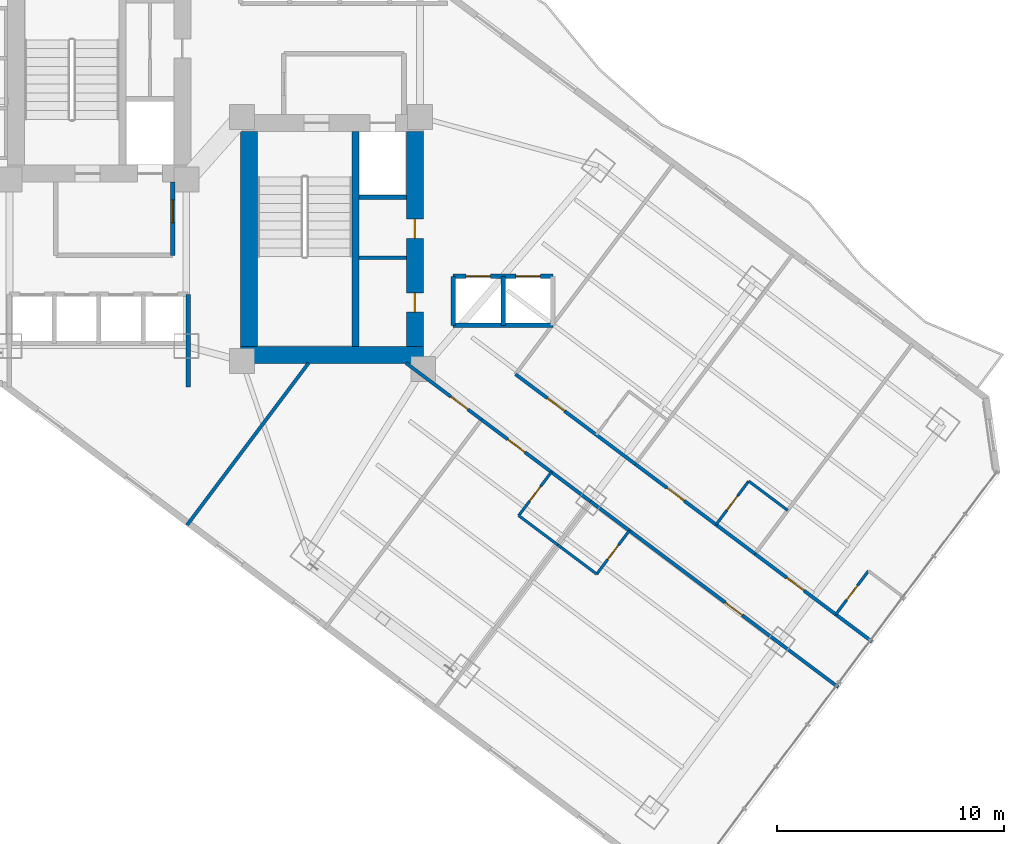
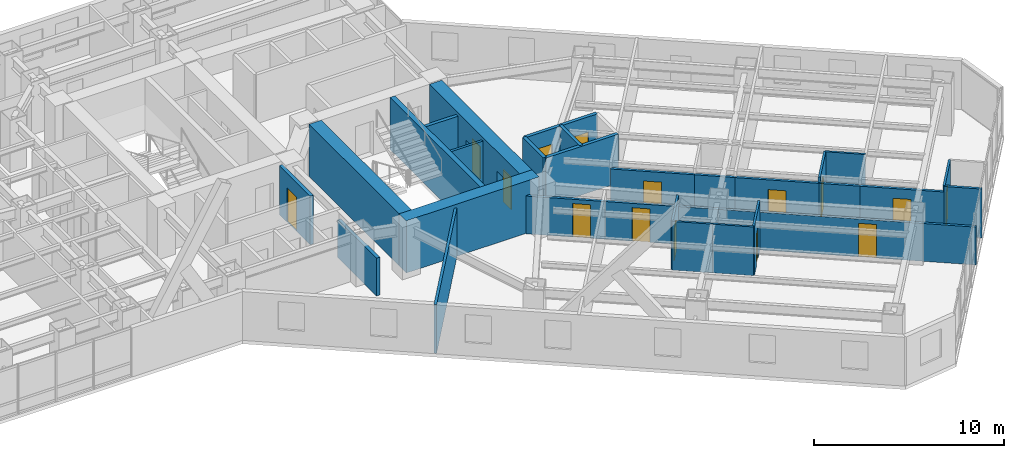
# One storey, part 24 of 33: 31 walls, 15 doors, 15 openings.
"""IFC4 building model written with IfcOpenShell, lengths in metres."""

from ifc_helpers import new_model, si_unit, direction, frame, frame_2d, origin, place, context, subcontext, project, spatial, rectangle, extrude, material, layer, layer_set, type_object, element, fill, save


model = new_model("IFC4")

# Units and contexts
model_context = context("Model", 3, precision=1e-05, world=origin(), true_north=direction((0.0, 1.0)))
body_context = subcontext(model_context, "Body", "Model", "MODEL_VIEW")
ifc_project = project(units=[si_unit("LENGTHUNIT", "METRE"), si_unit("AREAUNIT", "SQUARE_METRE"), si_unit("VOLUMEUNIT", "CUBIC_METRE"), si_unit("PLANEANGLEUNIT", "RADIAN"), si_unit("MASSUNIT", "GRAM", prefix="KILO")], contexts=[model_context])

# Site, building, storey
site_placement = place(None, origin())
site = spatial("IfcSite", under=ifc_project, at=site_placement, CompositionType="ELEMENT")
building_placement = place(site_placement, origin())
building = spatial("IfcBuilding", under=site, at=building_placement, Name="Hatsunagi Terrace Concourse", CompositionType="ELEMENT")
storey_placement = place(building_placement, frame((0.0, 0.0, 53.35009765625)))
storey = spatial("IfcBuildingStorey", under=building, at=storey_placement, Name="L13", CompositionType="ELEMENT", Elevation=53.35009765625)

# Walls
ifc_material_1 = material(Name="Concrete Fc60", Category="concrete")
ifc_layer_1 = layer(ifc_material_1, 0.75)
ifc_layer_set_1 = layer_set([ifc_layer_1], Name="CoreShearWall_Fc60_750")
wall_type_1 = type_object("IfcWallType", Name="CoreShearWall_Fc60_750", PredefinedType="SHEAR", material=ifc_layer_set_1)
wall_1_placement = place(storey_placement, frame((35.739990234375, 24.81494140625, 0.0), z_axis=(0.0, 0.0, 1.0), x_axis=(1.0, 0.0, 0.0)))
element("IfcWall", 1, at=wall_1_placement, inside=storey, type_object=wall_type_1, Name="Core B Shear Wall S L13", PredefinedType="SHEAR", context=body_context, shape_type="SweptSolid", body=[
    extrude(rectangle(XDim=8.06005859375, YDim=0.75, at=frame_2d((4.030029296875, 0.0))), origin(), (0.0, 0.0, 1.0), 3.349853515625),
])
wall_2_placement = place(storey_placement, frame((36.114990234375, 25.18994140625, 0.0), z_axis=(0.0, 0.0, 1.0), x_axis=(0.0, 1.0, 0.0)))
element("IfcWall", 2, at=wall_2_placement, inside=storey, type_object=wall_type_1, Name="Core B Shear Wall W L13", PredefinedType="SHEAR", context=body_context, shape_type="SweptSolid", body=[
    extrude(rectangle(XDim=9.47998046875, YDim=0.75, at=frame_2d((4.739990234375, 0.0))), origin(), (0.0, 0.0, 1.0), 3.349853515625),
])

# Wall, openings, doors
wall_3_placement = place(storey_placement, frame((43.425048828125, 25.18994140625, 0.0), z_axis=(0.0, 0.0, 1.0), x_axis=(0.0, 1.0, 0.0)))
wall_3 = element("IfcWall", 3, at=wall_3_placement, inside=storey, type_object=wall_type_1, Name="Core B Shear Wall E L13", PredefinedType="SHEAR", context=body_context, shape_type="SweptSolid", body=[
    extrude(rectangle(XDim=9.47998046875, YDim=0.75, at=frame_2d((4.739990234375, 0.0))), origin(), (0.0, 0.0, 1.0), 3.349853515625),
])
opening_1_placement = place(wall_3_placement, frame((1.510009765625, 0.0, 0.0)))
opening_1 = element("IfcOpeningElement", 4, at=opening_1_placement, cuts=wall_3, Name="Opening DR-085", PredefinedType="OPENING", context=body_context, shape_type="SweptSolid", body=[
    extrude(rectangle(XDim=0.85009765625, YDim=2.080078125, at=frame_2d((0.425048828125, 1.0400390625))), frame((0.0, 0.385009765625, 0.0), z_axis=(0.0, -1.0, 0.0), x_axis=(1.0, 0.0, 0.0)), (0.0, 0.0, 1.0), 0.77001953125),
])
opening_2_placement = place(wall_3_placement, frame((4.760009765625, 0.0, 0.0)))
opening_2 = element("IfcOpeningElement", 5, at=opening_2_placement, cuts=wall_3, Name="Opening DR-085", PredefinedType="OPENING", context=body_context, shape_type="SweptSolid", body=[
    extrude(rectangle(XDim=0.85009765625, YDim=2.080078125, at=frame_2d((0.425048828125, 1.0400390625))), frame((0.0, 0.385009765625, 0.0), z_axis=(0.0, -1.0, 0.0), x_axis=(1.0, 0.0, 0.0)), (0.0, 0.0, 1.0), 0.77001953125),
])
ifc_material_2 = material(Name="Painted steel", Category="steel")
door_type_1 = type_object("IfcDoorType", Name="RiserAccessDoor_EI60_850", OperationType="NOTDEFINED", PredefinedType="DOOR", material=ifc_material_2)
door_1_placement = place(opening_1_placement, origin())
door_1 = element("IfcDoor", 6, at=door_1_placement, inside=storey, type_object=door_type_1, Name="Core B Riser Door L13-1", OperationType="SINGLE_SWING_RIGHT", OverallHeight=2.080078125, OverallWidth=0.85009765625, PredefinedType="DOOR", context=body_context, shape_type="SweptSolid", body=[
    extrude(rectangle(XDim=0.85009765625, YDim=2.080078125, at=frame_2d((0.425048828125, 1.0400390625))), frame((0.0, 0.02490234375, 0.0), z_axis=(0.0, -1.0, 0.0), x_axis=(1.0, 0.0, 0.0)), (0.0, 0.0, 1.0), 0.050048828125),
])
fill(opening_1, door_1)
door_2_placement = place(opening_2_placement, origin())
door_2 = element("IfcDoor", 7, at=door_2_placement, inside=storey, type_object=door_type_1, Name="Core B Riser Door L13-2", OperationType="SINGLE_SWING_RIGHT", OverallHeight=2.080078125, OverallWidth=0.85009765625, PredefinedType="DOOR", context=body_context, shape_type="SweptSolid", body=[
    extrude(rectangle(XDim=0.85009765625, YDim=2.080078125, at=frame_2d((0.425048828125, 1.0400390625))), frame((0.0, 0.02490234375, 0.0), z_axis=(0.0, -1.0, 0.0), x_axis=(1.0, 0.0, 0.0)), (0.0, 0.0, 1.0), 0.050048828125),
])
fill(opening_2, door_2)

# Wall
ifc_material_3 = material(Name="Concrete Fc48", Category="concrete")
ifc_layer_2 = layer(ifc_material_3, 0.300048828125)
ifc_layer_set_2 = layer_set([ifc_layer_2], Name="CoreStairDivider_Fc48_300")
wall_type_2 = type_object("IfcWallType", Name="CoreStairDivider_Fc48_300", PredefinedType="SHEAR", material=ifc_layer_set_2)
wall_4_placement = place(storey_placement, frame((40.81005859375, 25.18994140625, 0.0), z_axis=(0.0, 0.0, 1.0), x_axis=(0.0, 1.0, 0.0)))
element("IfcWall", 8, at=wall_4_placement, inside=storey, type_object=wall_type_2, Name="Core B Shear Wall D L13", PredefinedType="SHEAR", context=body_context, shape_type="SweptSolid", body=[
    extrude(rectangle(XDim=9.47998046875, YDim=0.300048828125, at=frame_2d((4.739990234375, 0.0))), origin(), (0.0, 0.0, 1.0), 3.349853515625),
])

# Wall, opening, door
ifc_material_4 = material(Name="Acoustic mineral board", Category="gypsum")
ifc_layer_3 = layer(ifc_material_4, 0.1201171875)
ifc_layer_set_3 = layer_set([ifc_layer_3], Name="PartitionWall_EI30_120")
wall_type_3 = type_object("IfcWallType", Name="PartitionWall_EI30_120", PredefinedType="PARTITIONING", material=ifc_layer_set_3)
wall_5_placement = place(storey_placement, frame((56.7099609375, 17.330078125, 0.0), z_axis=(0.0, 0.0, 1.0), x_axis=(0.6, 0.8, 0.0)))
wall_5 = element("IfcWall", 9, at=wall_5_placement, inside=storey, type_object=wall_type_3, Name="Interior Partition IW-L13-075", PredefinedType="PARTITIONING", context=body_context, shape_type="SweptSolid", body=[
    extrude(rectangle(XDim=2.39990234375, YDim=0.1201171875, at=frame_2d((1.199951171875, 0.0))), origin(), (0.0, 0.0, 1.0), 3.1298828125),
])
opening_3_placement = place(wall_5_placement, frame((0.800048828125, 0.0, 0.0)))
opening_3 = element("IfcOpeningElement", 10, at=opening_3_placement, cuts=wall_5, Name="Opening DR-080", PredefinedType="OPENING", context=body_context, shape_type="SweptSolid", body=[
    extrude(rectangle(XDim=0.800048828125, YDim=2.06005859375, at=frame_2d((0.39990234375, 1.030029296875))), frame((0.0, 0.070068359375, 0.0), z_axis=(0.0, -1.0, 0.0), x_axis=(1.0, 0.0, 0.0)), (0.0, 0.0, 1.0), 0.14013671875),
])
ifc_material_5 = material(Name="Hardwood timber", Category="wood")
door_type_2 = type_object("IfcDoorType", Name="BathroomDoor_800", OperationType="NOTDEFINED", PredefinedType="DOOR", material=ifc_material_5)
door_3_placement = place(opening_3_placement, origin())
door_3 = element("IfcDoor", 11, at=door_3_placement, inside=storey, type_object=door_type_2, Name="En-Suite Bathroom L13-SENE2 Door", OperationType="SINGLE_SWING_RIGHT", OverallHeight=2.06005859375, OverallWidth=0.800048828125, PredefinedType="DOOR", context=body_context, shape_type="SweptSolid", body=[
    extrude(rectangle(XDim=0.800048828125, YDim=2.06005859375, at=frame_2d((0.39990234375, 1.030029296875))), frame((0.0, 0.02490234375, 0.0), z_axis=(0.0, -1.0, 0.0), x_axis=(1.0, 0.0, 0.0)), (0.0, 0.0, 1.0), 0.050048828125),
])
fill(opening_3, door_3)

# Wall
wall_6_placement = place(storey_placement, frame((58.14990234375, 19.25, 0.0), z_axis=(0.0, 0.0, 1.0), x_axis=(0.800027249606, -0.599963665473, 0.0)))
element("IfcWall", 12, at=wall_6_placement, inside=storey, type_object=wall_type_3, Name="Interior Partition IW-L13-076", PredefinedType="PARTITIONING", context=body_context, shape_type="SweptSolid", body=[
    extrude(rectangle(XDim=2.150146484375, YDim=0.1201171875, at=frame_2d((1.0751953125, 0.0))), origin(), (0.0, 0.0, 1.0), 3.1298828125),
])

# Wall, opening, door
wall_7_placement = place(storey_placement, frame((61.989990234375, 13.3701171875, 0.0), z_axis=(0.0, 0.0, 1.0), x_axis=(0.6, 0.8, 0.0)))
wall_7 = element("IfcWall", 13, at=wall_7_placement, inside=storey, type_object=wall_type_3, Name="Interior Partition IW-L13-080", PredefinedType="PARTITIONING", context=body_context, shape_type="SweptSolid", body=[
    extrude(rectangle(XDim=2.39990234375, YDim=0.1201171875, at=frame_2d((1.199951171875, 0.0))), origin(), (0.0, 0.0, 1.0), 3.1298828125),
])
opening_4_placement = place(wall_7_placement, frame((0.800048828125, 0.0, 0.0)))
opening_4 = element("IfcOpeningElement", 14, at=opening_4_placement, cuts=wall_7, Name="Opening DR-080", PredefinedType="OPENING", context=body_context, shape_type="SweptSolid", body=[
    extrude(rectangle(XDim=0.800048828125, YDim=2.06005859375, at=frame_2d((0.39990234375, 1.030029296875))), frame((0.0, 0.070068359375, 0.0), z_axis=(0.0, -1.0, 0.0), x_axis=(1.0, 0.0, 0.0)), (0.0, 0.0, 1.0), 0.14013671875),
])
door_4_placement = place(opening_4_placement, origin())
door_4 = element("IfcDoor", 15, at=door_4_placement, inside=storey, type_object=door_type_2, Name="En-Suite Bathroom L13-SENE3 Door", OperationType="SINGLE_SWING_RIGHT", OverallHeight=2.06005859375, OverallWidth=0.800048828125, PredefinedType="DOOR", context=body_context, shape_type="SweptSolid", body=[
    extrude(rectangle(XDim=0.800048828125, YDim=2.06005859375, at=frame_2d((0.39990234375, 1.030029296875))), frame((0.0, 0.02490234375, 0.0), z_axis=(0.0, -1.0, 0.0), x_axis=(1.0, 0.0, 0.0)), (0.0, 0.0, 1.0), 0.050048828125),
])
fill(opening_4, door_4)

wall_8_placement = place(storey_placement, frame((48.010009765625, 17.72998046875, 0.0), z_axis=(0.0, 0.0, 1.0), x_axis=(0.6, 0.8, 0.0)))
wall_8 = element("IfcWall", 16, at=wall_8_placement, inside=storey, type_object=wall_type_3, Name="Interior Partition IW-L13-084", PredefinedType="PARTITIONING", context=body_context, shape_type="SweptSolid", body=[
    extrude(rectangle(XDim=2.39990234375, YDim=0.1201171875, at=frame_2d((1.199951171875, 0.0))), origin(), (0.0, 0.0, 1.0), 3.1298828125),
])
opening_5_placement = place(wall_8_placement, frame((0.800048828125, 0.0, 0.0)))
opening_5 = element("IfcOpeningElement", 17, at=opening_5_placement, cuts=wall_8, Name="Opening DR-080", PredefinedType="OPENING", context=body_context, shape_type="SweptSolid", body=[
    extrude(rectangle(XDim=0.800048828125, YDim=2.06005859375, at=frame_2d((0.39990234375, 1.030029296875))), frame((0.0, 0.070068359375, 0.0), z_axis=(0.0, -1.0, 0.0), x_axis=(1.0, 0.0, 0.0)), (0.0, 0.0, 1.0), 0.14013671875),
])
door_5_placement = place(opening_5_placement, origin())
door_5 = element("IfcDoor", 18, at=door_5_placement, inside=storey, type_object=door_type_2, Name="En-Suite Bathroom L13-SESW1 Door", OperationType="SINGLE_SWING_LEFT", OverallHeight=2.06005859375, OverallWidth=0.800048828125, PredefinedType="DOOR", context=body_context, shape_type="SweptSolid", body=[
    extrude(rectangle(XDim=0.800048828125, YDim=2.06005859375, at=frame_2d((0.39990234375, 1.030029296875))), frame((0.0, 0.02490234375, 0.0), z_axis=(0.0, -1.0, 0.0), x_axis=(1.0, 0.0, 0.0)), (0.0, 0.0, 1.0), 0.050048828125),
])
fill(opening_5, door_5)

# Wall
wall_9_placement = place(storey_placement, frame((48.010009765625, 17.72998046875, 0.0), z_axis=(0.0, 0.0, 1.0), x_axis=(0.79998637334, -0.60001816845, 0.0)))
element("IfcWall", 19, at=wall_9_placement, inside=storey, type_object=wall_type_3, Name="Interior Partition IW-L13-085", PredefinedType="PARTITIONING", context=body_context, shape_type="SweptSolid", body=[
    extrude(rectangle(XDim=2.14990234375, YDim=0.1201171875, at=frame_2d((1.074951171875, 0.0))), origin(), (0.0, 0.0, 1.0), 3.1298828125),
])

# Wall, opening, door
wall_10_placement = place(storey_placement, frame((51.449951171875, 15.14990234375, 0.0), z_axis=(0.0, 0.0, 1.0), x_axis=(0.599951172744, 0.800036618114, 0.0)))
wall_10 = element("IfcWall", 20, at=wall_10_placement, inside=storey, type_object=wall_type_3, Name="Interior Partition IW-L13-089", PredefinedType="PARTITIONING", context=body_context, shape_type="SweptSolid", body=[
    extrude(rectangle(XDim=2.400146484375, YDim=0.1201171875, at=frame_2d((1.2001953125, 0.0))), origin(), (0.0, 0.0, 1.0), 3.1298828125),
])
opening_6_placement = place(wall_10_placement, frame((0.800048828125, 0.0, 0.0)))
opening_6 = element("IfcOpeningElement", 21, at=opening_6_placement, cuts=wall_10, Name="Opening DR-080", PredefinedType="OPENING", context=body_context, shape_type="SweptSolid", body=[
    extrude(rectangle(XDim=0.800048828125, YDim=2.06005859375, at=frame_2d((0.39990234375, 1.030029296875))), frame((0.0, 0.070068359375, 0.0), z_axis=(0.0, -1.0, 0.0), x_axis=(1.0, 0.0, 0.0)), (0.0, 0.0, 1.0), 0.14013671875),
])
door_6_placement = place(opening_6_placement, origin())
door_6 = element("IfcDoor", 22, at=door_6_placement, inside=storey, type_object=door_type_2, Name="En-Suite Bathroom L13-SESW2 Door", OperationType="SINGLE_SWING_RIGHT", OverallHeight=2.06005859375, OverallWidth=0.800048828125, PredefinedType="DOOR", context=body_context, shape_type="SweptSolid", body=[
    extrude(rectangle(XDim=0.800048828125, YDim=2.06005859375, at=frame_2d((0.39990234375, 1.030029296875))), frame((0.0, 0.02490234375, 0.0), z_axis=(0.0, -1.0, 0.0), x_axis=(1.0, 0.0, 0.0)), (0.0, 0.0, 1.0), 0.050048828125),
])
fill(opening_6, door_6)

# Walls
wall_11_placement = place(storey_placement, frame((49.72998046875, 16.43994140625, 0.0), z_axis=(0.0, 0.0, 1.0), x_axis=(0.79998637334, -0.60001816845, 0.0)))
element("IfcWall", 23, at=wall_11_placement, inside=storey, type_object=wall_type_3, Name="Interior Partition IW-L13-090", PredefinedType="PARTITIONING", context=body_context, shape_type="SweptSolid", body=[
    extrude(rectangle(XDim=2.14990234375, YDim=0.1201171875, at=frame_2d((1.074951171875, 0.0))), origin(), (0.0, 0.0, 1.0), 3.1298828125),
])
ifc_material_6 = material(Name="Acoustic mineral board", Category="gypsum")
ifc_layer_4 = layer(ifc_material_6, 0.14990234375)
ifc_layer_set_4 = layer_set([ifc_layer_4], Name="PartitionWall_EI60_150")
wall_type_4 = type_object("IfcWallType", Name="PartitionWall_EI60_150", PredefinedType="PARTITIONING", material=ifc_layer_set_4)
wall_12_placement = place(storey_placement, frame((40.969970703125, 29.10009765625, 0.0), z_axis=(0.0, 0.0, 1.0), x_axis=(1.0, 0.0, 0.0)))
element("IfcWall", 24, at=wall_12_placement, inside=storey, type_object=wall_type_4, Name="Interior Partition IW-L13-005", PredefinedType="PARTITIONING", context=body_context, shape_type="SweptSolid", body=[
    extrude(rectangle(XDim=2.080078125, YDim=0.14990234375, at=frame_2d((1.0400390625, 0.0))), origin(), (0.0, 0.0, 1.0), 3.1298828125),
])

# Wall, opening, door
wall_13_placement = place(storey_placement, frame((43.037109375, 24.4599609375, 0.0), z_axis=(0.0, 0.0, 1.0), x_axis=(0.799971872363, -0.600037501685, 0.0)))
wall_13 = element("IfcWall", 25, at=wall_13_placement, inside=storey, type_object=wall_type_4, Name="Interior Partition IW-L13-042", PredefinedType="PARTITIONING", context=body_context, shape_type="SweptSolid", body=[
    extrude(rectangle(XDim=4.16650390625, YDim=0.14990234375, at=frame_2d((2.083251953125, 0.0))), origin(), (0.0, 0.0, 1.0), 2.4248046875),
])
opening_7_placement = place(wall_13_placement, frame((2.468017578125, 0.0, 0.0)))
opening_7 = element("IfcOpeningElement", 26, at=opening_7_placement, cuts=wall_13, Name="Opening DR-095", PredefinedType="OPENING", context=body_context, shape_type="SweptSolid", body=[
    extrude(rectangle(XDim=0.949951171875, YDim=2.14990234375, at=frame_2d((0.47509765625, 1.074951171875))), frame((0.0, 0.0849609375, 0.0), z_axis=(0.0, -1.0, 0.0), x_axis=(1.0, 0.0, 0.0)), (0.0, 0.0, 1.0), 0.169921875),
])
ifc_material_7 = material(Name="Hardwood timber", Category="wood")
door_type_3 = type_object("IfcDoorType", Name="InteriorSuiteDoor_EI30_950", OperationType="NOTDEFINED", PredefinedType="DOOR", material=ifc_material_7)
door_7_placement = place(opening_7_placement, origin())
door_7 = element("IfcDoor", 27, at=door_7_placement, inside=storey, type_object=door_type_3, Name="Meeting Room L13-HMTG Door", OperationType="SINGLE_SWING_RIGHT", OverallHeight=2.14990234375, OverallWidth=0.949951171875, PredefinedType="DOOR", context=body_context, shape_type="SweptSolid", body=[
    extrude(rectangle(XDim=0.949951171875, YDim=2.14990234375, at=frame_2d((0.47509765625, 1.074951171875))), frame((0.0, 0.02490234375, 0.0), z_axis=(0.0, -1.0, 0.0), x_axis=(1.0, 0.0, 0.0)), (0.0, 0.0, 1.0), 0.050048828125),
])
fill(opening_7, door_7)

# Wall
wall_14_placement = place(storey_placement, frame((33.384033203125, 17.31201171875, 0.0), z_axis=(0.0, 0.0, 1.0), x_axis=(0.600008743659, 0.799993442181, 0.0)))
element("IfcWall", 28, at=wall_14_placement, inside=storey, type_object=wall_type_4, Name="Interior Partition IW-L13-043", PredefinedType="PARTITIONING", context=body_context, shape_type="SweptSolid", body=[
    extrude(rectangle(XDim=8.93505859375, YDim=0.14990234375, at=frame_2d((4.467529296875, 0.0))), origin(), (0.0, 0.0, 1.0), 3.1298828125),
])

# Wall, opening, door
wall_15_placement = place(storey_placement, frame((47.8701171875, 23.9599609375, 0.0), z_axis=(0.0, 0.0, 1.0), x_axis=(0.799993416095, -0.600008778439, 0.0)))
wall_15 = element("IfcWall", 29, at=wall_15_placement, inside=storey, type_object=wall_type_4, Name="Interior Partition IW-L13-067", PredefinedType="PARTITIONING", context=body_context, shape_type="SweptSolid", body=[
    extrude(rectangle(XDim=4.44970703125, YDim=0.14990234375, at=frame_2d((2.224853515625, 0.0))), origin(), (0.0, 0.0, 1.0), 2.77490234375),
])
opening_8_placement = place(wall_15_placement, frame((1.75, 0.0, 0.0)))
opening_8 = element("IfcOpeningElement", 30, at=opening_8_placement, cuts=wall_15, Name="Opening DR-095", PredefinedType="OPENING", context=body_context, shape_type="SweptSolid", body=[
    extrude(rectangle(XDim=0.949951171875, YDim=2.14990234375, at=frame_2d((0.47509765625, 1.074951171875))), frame((0.0, 0.0849609375, 0.0), z_axis=(0.0, -1.0, 0.0), x_axis=(1.0, 0.0, 0.0)), (0.0, 0.0, 1.0), 0.169921875),
])
door_8_placement = place(opening_8_placement, origin())
door_8 = element("IfcDoor", 31, at=door_8_placement, inside=storey, type_object=door_type_3, Name="Hotel Guest Room L13-SENE1 Door", OperationType="SINGLE_SWING_LEFT", OverallHeight=2.14990234375, OverallWidth=0.949951171875, PredefinedType="DOOR", context=body_context, shape_type="SweptSolid", body=[
    extrude(rectangle(XDim=0.949951171875, YDim=2.14990234375, at=frame_2d((0.47509765625, 1.074951171875))), frame((0.0, 0.02490234375, 0.0), z_axis=(0.0, -1.0, 0.0), x_axis=(1.0, 0.0, 0.0)), (0.0, 0.0, 1.0), 0.050048828125),
])
fill(opening_8, door_8)

# Wall
wall_16_placement = place(storey_placement, frame((51.429931640625, 21.2900390625, 0.0), z_axis=(0.0, 0.0, 1.0), x_axis=(0.79998637334, -0.60001816845, 0.0)))
element("IfcWall", 32, at=wall_16_placement, inside=storey, type_object=wall_type_4, Name="Interior Partition IW-L13-068", PredefinedType="PARTITIONING", context=body_context, shape_type="SweptSolid", body=[
    extrude(rectangle(XDim=2.14990234375, YDim=0.14990234375, at=frame_2d((1.074951171875, 0.0))), origin(), (0.0, 0.0, 1.0), 2.77490234375),
])

# Wall, opening, door
wall_17_placement = place(storey_placement, frame((53.14990234375, 20.0, 0.0), z_axis=(0.0, 0.0, 1.0), x_axis=(0.800013166942, -0.599982443676, 0.0)))
wall_17 = element("IfcWall", 33, at=wall_17_placement, inside=storey, type_object=wall_type_4, Name="Interior Partition IW-L13-073", PredefinedType="PARTITIONING", context=body_context, shape_type="SweptSolid", body=[
    extrude(rectangle(XDim=4.449951171875, YDim=0.14990234375, at=frame_2d((2.22509765625, 0.0))), origin(), (0.0, 0.0, 1.0), 2.77490234375),
])
opening_9_placement = place(wall_17_placement, frame((1.75, 0.0, 0.0)))
opening_9 = element("IfcOpeningElement", 34, at=opening_9_placement, cuts=wall_17, Name="Opening DR-095", PredefinedType="OPENING", context=body_context, shape_type="SweptSolid", body=[
    extrude(rectangle(XDim=0.949951171875, YDim=2.14990234375, at=frame_2d((0.47509765625, 1.074951171875))), frame((0.0, 0.0849609375, 0.0), z_axis=(0.0, -1.0, 0.0), x_axis=(1.0, 0.0, 0.0)), (0.0, 0.0, 1.0), 0.169921875),
])
door_9_placement = place(opening_9_placement, origin())
door_9 = element("IfcDoor", 35, at=door_9_placement, inside=storey, type_object=door_type_3, Name="Hotel Guest Room L13-SENE2 Door", OperationType="SINGLE_SWING_LEFT", OverallHeight=2.14990234375, OverallWidth=0.949951171875, PredefinedType="DOOR", context=body_context, shape_type="SweptSolid", body=[
    extrude(rectangle(XDim=0.949951171875, YDim=2.14990234375, at=frame_2d((0.47509765625, 1.074951171875))), frame((0.0, 0.02490234375, 0.0), z_axis=(0.0, -1.0, 0.0), x_axis=(1.0, 0.0, 0.0)), (0.0, 0.0, 1.0), 0.050048828125),
])
fill(opening_9, door_9)

# Wall
wall_18_placement = place(storey_placement, frame((56.7099609375, 17.330078125, 0.0), z_axis=(0.0, 0.0, 1.0), x_axis=(0.79998637334, -0.60001816845, 0.0)))
element("IfcWall", 36, at=wall_18_placement, inside=storey, type_object=wall_type_4, Name="Interior Partition IW-L13-074", PredefinedType="PARTITIONING", context=body_context, shape_type="SweptSolid", body=[
    extrude(rectangle(XDim=2.14990234375, YDim=0.14990234375, at=frame_2d((1.074951171875, 0.0))), origin(), (0.0, 0.0, 1.0), 2.77490234375),
])

# Wall, opening, door
wall_19_placement = place(storey_placement, frame((58.429931640625, 16.0400390625, 0.0), z_axis=(0.0, 0.0, 1.0), x_axis=(0.800013166942, -0.599982443676, 0.0)))
wall_19 = element("IfcWall", 37, at=wall_19_placement, inside=storey, type_object=wall_type_4, Name="Interior Partition IW-L13-078", PredefinedType="PARTITIONING", context=body_context, shape_type="SweptSolid", body=[
    extrude(rectangle(XDim=4.449951171875, YDim=0.14990234375, at=frame_2d((2.22509765625, 0.0))), origin(), (0.0, 0.0, 1.0), 2.77490234375),
])
opening_10_placement = place(wall_19_placement, frame((1.75, 0.0, 0.0)))
opening_10 = element("IfcOpeningElement", 38, at=opening_10_placement, cuts=wall_19, Name="Opening DR-095", PredefinedType="OPENING", context=body_context, shape_type="SweptSolid", body=[
    extrude(rectangle(XDim=0.949951171875, YDim=2.14990234375, at=frame_2d((0.47509765625, 1.074951171875))), frame((0.0, 0.0849609375, 0.0), z_axis=(0.0, -1.0, 0.0), x_axis=(1.0, 0.0, 0.0)), (0.0, 0.0, 1.0), 0.169921875),
])
door_10_placement = place(opening_10_placement, origin())
door_10 = element("IfcDoor", 39, at=door_10_placement, inside=storey, type_object=door_type_3, Name="Hotel Guest Room L13-SENE3 Door", OperationType="SINGLE_SWING_LEFT", OverallHeight=2.14990234375, OverallWidth=0.949951171875, PredefinedType="DOOR", context=body_context, shape_type="SweptSolid", body=[
    extrude(rectangle(XDim=0.949951171875, YDim=2.14990234375, at=frame_2d((0.47509765625, 1.074951171875))), frame((0.0, 0.02490234375, 0.0), z_axis=(0.0, -1.0, 0.0), x_axis=(1.0, 0.0, 0.0)), (0.0, 0.0, 1.0), 0.050048828125),
])
fill(opening_10, door_10)

# Wall
wall_20_placement = place(storey_placement, frame((61.989990234375, 13.3701171875, 0.0), z_axis=(0.0, 0.0, 1.0), x_axis=(0.79997084737, -0.600038868206, 0.0)))
element("IfcWall", 40, at=wall_20_placement, inside=storey, type_object=wall_type_4, Name="Interior Partition IW-L13-079", PredefinedType="PARTITIONING", context=body_context, shape_type="SweptSolid", body=[
    extrude(rectangle(XDim=2.010009765625, YDim=0.14990234375, at=frame_2d((1.0048828125, 0.0))), origin(), (0.0, 0.0, 1.0), 3.1298828125),
])

# Wall, opening, door
wall_21_placement = place(storey_placement, frame((46.3701171875, 21.9599609375, 0.0), z_axis=(0.0, 0.0, 1.0), x_axis=(0.799977170108, -0.600030438649, 0.0)))
wall_21 = element("IfcWall", 41, at=wall_21_placement, inside=storey, type_object=wall_type_4, Name="Interior Partition IW-L13-082", PredefinedType="PARTITIONING", context=body_context, shape_type="SweptSolid", body=[
    extrude(rectangle(XDim=3.849853515625, YDim=0.14990234375, at=frame_2d((1.9248046875, 0.0))), origin(), (0.0, 0.0, 1.0), 2.4248046875),
])
opening_11_placement = place(wall_21_placement, frame((1.449951171875, 0.0, 0.0)))
opening_11 = element("IfcOpeningElement", 42, at=opening_11_placement, cuts=wall_21, Name="Opening DR-095", PredefinedType="OPENING", context=body_context, shape_type="SweptSolid", body=[
    extrude(rectangle(XDim=0.949951171875, YDim=2.14990234375, at=frame_2d((0.47509765625, 1.074951171875))), frame((0.0, 0.0849609375, 0.0), z_axis=(0.0, -1.0, 0.0), x_axis=(1.0, 0.0, 0.0)), (0.0, 0.0, 1.0), 0.169921875),
])
door_11_placement = place(opening_11_placement, origin())
door_11 = element("IfcDoor", 43, at=door_11_placement, inside=storey, type_object=door_type_3, Name="Hotel Guest Room L13-SESW1 Door", OperationType="SINGLE_SWING_RIGHT", OverallHeight=2.14990234375, OverallWidth=0.949951171875, PredefinedType="DOOR", context=body_context, shape_type="SweptSolid", body=[
    extrude(rectangle(XDim=0.949951171875, YDim=2.14990234375, at=frame_2d((0.47509765625, 1.074951171875))), frame((0.0, 0.02490234375, 0.0), z_axis=(0.0, -1.0, 0.0), x_axis=(1.0, 0.0, 0.0)), (0.0, 0.0, 1.0), 0.050048828125),
])
fill(opening_11, door_11)

# Walls
for number, where, z_axis, x_axis, name in (
    (44, (49.449951171875, 19.64990234375, 0.0), (0.0, 0.0, 1.0), (0.800040880289, -0.59994548908, 0.0), "Interior Partition IW-L13-083"),
    (45, (51.169921875, 18.360107421875, 0.0), (0.0, 0.0, 1.0), (0.79998637334, -0.60001816845, 0.0), "Interior Partition IW-L13-087"),
):
    element("IfcWall", number, at=place(storey_placement, frame(where, z_axis=z_axis, x_axis=x_axis)), inside=storey, type_object=wall_type_4, Name=name, PredefinedType="PARTITIONING", context=body_context, shape_type="SweptSolid", body=[
        extrude(rectangle(XDim=2.14990234375, YDim=0.14990234375, at=frame_2d((1.074951171875, 0.0))), origin(), (0.0, 0.0, 1.0), 2.4248046875),
    ])

# Wall, opening, door
wall_22_placement = place(storey_placement, frame((52.889892578125, 17.070068359375, 0.0), z_axis=(0.0, 0.0, 1.0), x_axis=(0.8, -0.6, 0.0)))
wall_22 = element("IfcWall", 46, at=wall_22_placement, inside=storey, type_object=wall_type_4, Name="Interior Partition IW-L13-088", PredefinedType="PARTITIONING", context=body_context, shape_type="SweptSolid", body=[
    extrude(rectangle(XDim=11.510009765625, YDim=0.14990234375, at=frame_2d((5.7548828125, 0.0))), origin(), (0.0, 0.0, 1.0), 2.4248046875),
])
opening_12_placement = place(wall_22_placement, frame((5.280029296875, 0.0, 0.0)))
opening_12 = element("IfcOpeningElement", 47, at=opening_12_placement, cuts=wall_22, Name="Opening DR-095", PredefinedType="OPENING", context=body_context, shape_type="SweptSolid", body=[
    extrude(rectangle(XDim=0.949951171875, YDim=2.14990234375, at=frame_2d((0.47509765625, 1.074951171875))), frame((0.0, 0.0849609375, 0.0), z_axis=(0.0, -1.0, 0.0), x_axis=(1.0, 0.0, 0.0)), (0.0, 0.0, 1.0), 0.169921875),
])
door_12_placement = place(opening_12_placement, origin())
door_12 = element("IfcDoor", 48, at=door_12_placement, inside=storey, type_object=door_type_3, Name="Corner Hotel Suite L13-SESW2 Door", OperationType="SINGLE_SWING_RIGHT", OverallHeight=2.14990234375, OverallWidth=0.949951171875, PredefinedType="DOOR", context=body_context, shape_type="SweptSolid", body=[
    extrude(rectangle(XDim=0.949951171875, YDim=2.14990234375, at=frame_2d((0.47509765625, 1.074951171875))), frame((0.0, 0.02490234375, 0.0), z_axis=(0.0, -1.0, 0.0), x_axis=(1.0, 0.0, 0.0)), (0.0, 0.0, 1.0), 0.050048828125),
])
fill(opening_12, door_12)

# Wall
ifc_material_8 = material(Name="Acoustic mineral board", Category="gypsum")
ifc_layer_5 = layer(ifc_material_8, 0.199951171875)
ifc_layer_set_5 = layer_set([ifc_layer_5], Name="ShaftWall_EI120_200")
wall_type_5 = type_object("IfcWallType", Name="ShaftWall_EI120_200", PredefinedType="STANDARD", material=ifc_layer_set_5)
wall_23_placement = place(storey_placement, frame((40.969970703125, 31.760009765625, 0.0), z_axis=(0.0, 0.0, 1.0), x_axis=(1.0, 0.0, 0.0)))
element("IfcWall", 49, at=wall_23_placement, inside=storey, type_object=wall_type_5, Name="Interior Partition IW-L13-004", PredefinedType="STANDARD", context=body_context, shape_type="SweptSolid", body=[
    extrude(rectangle(XDim=2.080078125, YDim=0.199951171875, at=frame_2d((1.0400390625, 0.0))), origin(), (0.0, 0.0, 1.0), 3.1298828125),
])

# Wall, opening, door
wall_24_placement = place(storey_placement, frame((32.75, 29.199951171875, 0.0), z_axis=(0.0, 0.0, 1.0), x_axis=(0.0, 1.0, 0.0)))
wall_24 = element("IfcWall", 50, at=wall_24_placement, inside=storey, type_object=wall_type_5, Name="Interior Partition IW-L13-008", PredefinedType="STANDARD", context=body_context, shape_type="SweptSolid", body=[
    extrude(rectangle(XDim=3.239990234375, YDim=0.199951171875, at=frame_2d((1.6201171875, 0.0))), origin(), (0.0, 0.0, 1.0), 3.1298828125),
])
opening_13_placement = place(wall_24_placement, frame((1.449951171875, 0.0, 0.0)))
opening_13 = element("IfcOpeningElement", 51, at=opening_13_placement, cuts=wall_24, Name="Opening DR-100F", PredefinedType="OPENING", context=body_context, shape_type="SweptSolid", body=[
    extrude(rectangle(XDim=1.0, YDim=2.199951171875, at=frame_2d((0.5, 1.10009765625))), frame((0.0, 0.10986328125, 0.0), z_axis=(0.0, -1.0, 0.0), x_axis=(1.0, 0.0, 0.0)), (0.0, 0.0, 1.0), 0.219970703125),
])
ifc_material_9 = material(Name="Painted steel", Category="steel")
door_type_4 = type_object("IfcDoorType", Name="FireDoor_EI60_1000", OperationType="NOTDEFINED", PredefinedType="DOOR", material=ifc_material_9)
door_13_placement = place(opening_13_placement, origin())
door_13 = element("IfcDoor", 52, at=door_13_placement, inside=storey, type_object=door_type_4, Name="Firefighting Lobby A Door L13", OperationType="SINGLE_SWING_RIGHT", OverallHeight=2.199951171875, OverallWidth=1.0, PredefinedType="DOOR", context=body_context, shape_type="SweptSolid", body=[
    extrude(rectangle(XDim=1.0, YDim=2.199951171875, at=frame_2d((0.5, 1.10009765625))), frame((0.0, 0.02490234375, 0.0), z_axis=(0.0, -1.0, 0.0), x_axis=(1.0, 0.0, 0.0)), (0.0, 0.0, 1.0), 0.050048828125),
])
fill(opening_13, door_13)

# Walls
wall_25_placement = place(storey_placement, frame((33.429931640625, 23.39990234375, 0.0), z_axis=(0.0, 0.0, 1.0), x_axis=(0.0, 1.0, 0.0)))
element("IfcWall", 53, at=wall_25_placement, inside=storey, type_object=wall_type_5, Name="Interior Partition IW-L13-013", PredefinedType="STANDARD", context=body_context, shape_type="SweptSolid", body=[
    extrude(rectangle(XDim=4.080078125, YDim=0.199951171875, at=frame_2d((2.0400390625, 0.0))), origin(), (0.0, 0.0, 1.0), 2.4248046875),
])
wall_26_placement = place(storey_placement, frame((45.1201171875, 26.1201171875, 0.0), z_axis=(0.0, 0.0, 1.0), x_axis=(1.0, 0.0, 0.0)))
element("IfcWall", 54, at=wall_26_placement, inside=storey, type_object=wall_type_5, Name="Interior Partition IW-L13-025", PredefinedType="STANDARD", context=body_context, shape_type="SweptSolid", body=[
    extrude(rectangle(XDim=4.39990234375, YDim=0.199951171875, at=frame_2d((2.199951171875, 0.0))), origin(), (0.0, 0.0, 1.0), 3.1298828125),
])
for number, where, z_axis, x_axis, name in (
    (55, (45.1201171875, 26.1201171875, 0.0), (0.0, 0.0, 1.0), (0.0, 1.0, 0.0), "Interior Partition IW-L13-026"),
    (56, (47.320068359375, 26.1201171875, 0.0), (0.0, 0.0, 1.0), (0.0, 1.0, 0.0), "Interior Partition IW-L13-028"),
):
    element("IfcWall", number, at=place(storey_placement, frame(where, z_axis=z_axis, x_axis=x_axis)), inside=storey, type_object=wall_type_5, Name=name, PredefinedType="STANDARD", context=body_context, shape_type="SweptSolid", body=[
        extrude(rectangle(XDim=2.159912109375, YDim=0.199951171875, at=frame_2d((1.080078125, 0.0))), origin(), (0.0, 0.0, 1.0), 3.1298828125),
    ])

# Wall, openings, doors
wall_27_placement = place(storey_placement, frame((45.1201171875, 28.280029296875, 0.0), z_axis=(0.0, 0.0, 1.0), x_axis=(1.0, 0.0, 0.0)))
wall_27 = element("IfcWall", 57, at=wall_27_placement, inside=storey, type_object=wall_type_5, Name="Interior Partition IW-L13-029", PredefinedType="STANDARD", context=body_context, shape_type="SweptSolid", body=[
    extrude(rectangle(XDim=4.39990234375, YDim=0.199951171875, at=frame_2d((2.199951171875, 0.0))), origin(), (0.0, 0.0, 1.0), 3.1298828125),
])
opening_14_placement = place(wall_27_placement, frame((0.56005859375, 0.0, 0.0)))
opening_14 = element("IfcOpeningElement", 58, at=opening_14_placement, cuts=wall_27, Name="Opening LD-03", PredefinedType="OPENING", context=body_context, shape_type="SweptSolid", body=[
    extrude(rectangle(XDim=1.080078125, YDim=2.14990234375, at=frame_2d((0.5400390625, 1.074951171875))), frame((0.0, 0.10986328125, 0.0), z_axis=(0.0, -1.0, 0.0), x_axis=(1.0, 0.0, 0.0)), (0.0, 0.0, 1.0), 0.219970703125),
])
opening_15_placement = place(wall_27_placement, frame((2.760009765625, 0.0, 0.0)))
opening_15 = element("IfcOpeningElement", 59, at=opening_15_placement, cuts=wall_27, Name="Opening LD-03", PredefinedType="OPENING", context=body_context, shape_type="SweptSolid", body=[
    extrude(rectangle(XDim=1.080078125, YDim=2.14990234375, at=frame_2d((0.5400390625, 1.074951171875))), frame((0.0, 0.10986328125, 0.0), z_axis=(0.0, -1.0, 0.0), x_axis=(1.0, 0.0, 0.0)), (0.0, 0.0, 1.0), 0.219970703125),
])
ifc_material_10 = material(Name="Stainless steel", Category="steel")
door_type_5 = type_object("IfcDoorType", Name="LiftLandingDoor_LD03", OperationType="SLIDING_TO_LEFT", PredefinedType="USERDEFINED", material=ifc_material_10)
door_14_placement = place(opening_14_placement, origin())
door_14 = element("IfcDoor", 60, at=door_14_placement, inside=storey, type_object=door_type_5, Name="Lift landing door PL-09 L13", ObjectType="SLIDING_LANDING_DOOR", OperationType="SLIDING_TO_LEFT", OverallHeight=2.14990234375, OverallWidth=1.080078125, PredefinedType="USERDEFINED", context=body_context, shape_type="SweptSolid", body=[
    extrude(rectangle(XDim=1.080078125, YDim=2.14990234375, at=frame_2d((0.5400390625, 1.074951171875))), frame((0.0, 0.02490234375, 0.0), z_axis=(0.0, -1.0, 0.0), x_axis=(1.0, 0.0, 0.0)), (0.0, 0.0, 1.0), 0.050048828125),
])
fill(opening_14, door_14)
door_15_placement = place(opening_15_placement, origin())
door_15 = element("IfcDoor", 61, at=door_15_placement, inside=storey, type_object=door_type_5, Name="Lift landing door PL-10 L13", ObjectType="SLIDING_LANDING_DOOR", OperationType="SLIDING_TO_LEFT", OverallHeight=2.14990234375, OverallWidth=1.080078125, PredefinedType="USERDEFINED", context=body_context, shape_type="SweptSolid", body=[
    extrude(rectangle(XDim=1.080078125, YDim=2.14990234375, at=frame_2d((0.5400390625, 1.074951171875))), frame((0.0, 0.02490234375, 0.0), z_axis=(0.0, -1.0, 0.0), x_axis=(1.0, 0.0, 0.0)), (0.0, 0.0, 1.0), 0.050048828125),
])
fill(opening_15, door_15)

save(model, "model.ifc")
